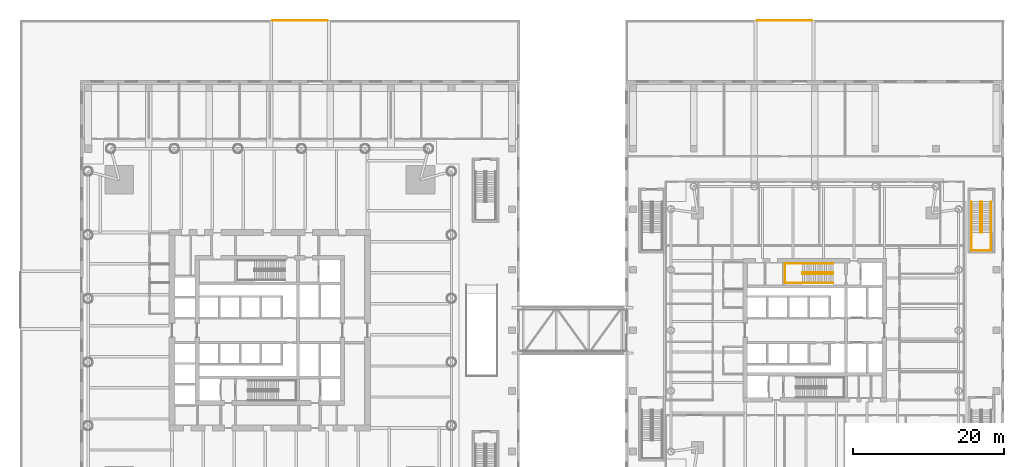
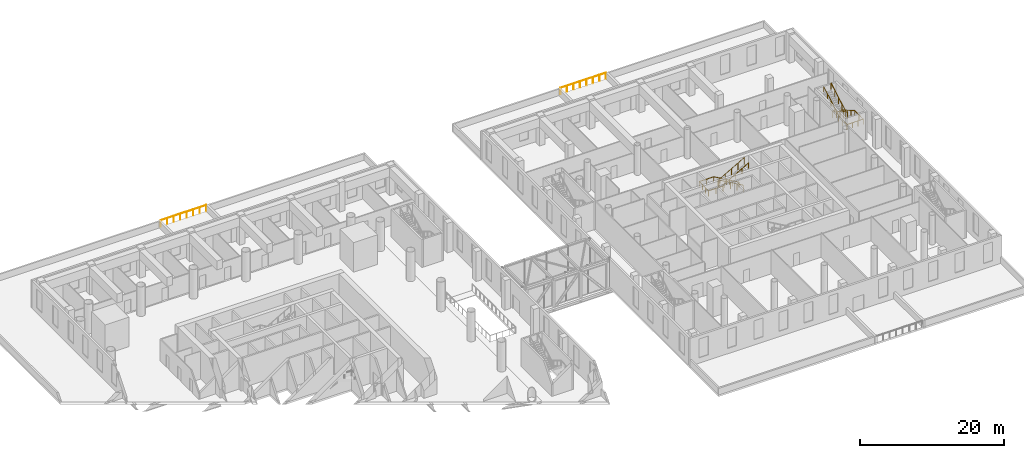
# One storey, part 23 of 23: 6 railings.
"""IFC4 building model written with IfcOpenShell, lengths in metres."""

from ifc_helpers import new_model, si_unit, direction, frame, origin, origin_2d, place, context, subcontext, project, spatial, circle, extrude, material, type_object, element, save


model = new_model("IFC4")

# Units and contexts
model_context = context("Model", 3, precision=1e-05, world=origin(), true_north=direction((0.0, 1.0)))
body_context = subcontext(model_context, "Body", "Model", "MODEL_VIEW")
ifc_project = project(units=[si_unit("LENGTHUNIT", "METRE"), si_unit("AREAUNIT", "SQUARE_METRE"), si_unit("VOLUMEUNIT", "CUBIC_METRE"), si_unit("PLANEANGLEUNIT", "RADIAN"), si_unit("MASSUNIT", "GRAM", prefix="KILO")], contexts=[model_context])

# Site, building, storey
site_placement = place(None, origin())
site = spatial("IfcSite", under=ifc_project, at=site_placement, CompositionType="ELEMENT")
building_placement = place(site_placement, origin())
building = spatial("IfcBuilding", under=site, at=building_placement, Name="Ostroluk Exchange", CompositionType="ELEMENT")
storey_placement = place(building_placement, frame((0.0, 0.0, 11.0)))
storey = spatial("IfcBuildingStorey", under=building, at=storey_placement, Name="L02", CompositionType="ELEMENT", Elevation=11.0)

# Railings
ifc_material_1 = material(Name="Stainless steel", Category="steel")
railing_type_1 = type_object("IfcRailingType", Name="Guard 1100 stainless steel", PredefinedType="GUARDRAIL", material=ifc_material_1)
for number, where, name in (
    (1, (45.35205078125, 86.949951171875, 0.0), "Terrace guard L02 1.1"),
    (2, (109.35205078125, 86.949951171875, 0.0), "Terrace guard L02 1.1"),
):
    element("IfcRailing", number, at=place(storey_placement, frame(where)), inside=storey, type_object=railing_type_1, Name=name, PredefinedType="GUARDRAIL", context=body_context, shape_type="SweptSolid", body=[
        extrude(circle(Radius=0.02392578125, at=origin_2d()), frame((0.0, 0.0, 1.076171875), z_axis=(1.0, 0.0, 0.0), x_axis=(0.0, 1.0, 0.0)), (0.0, 0.0, 1.0), 7.2958984375),
        extrude(circle(Radius=0.02099609375, at=origin_2d()), origin(), (0.0, 0.0, 1.0), 1.052001953125),
        extrude(circle(Radius=0.02099609375, at=origin_2d()), frame((1.042236328125, 0.0, 0.0)), (0.0, 0.0, 1.0), 1.052001953125),
        extrude(circle(Radius=0.02099609375, at=origin_2d()), frame((2.08447265625, 0.0, 0.0)), (0.0, 0.0, 1.0), 1.052001953125),
        extrude(circle(Radius=0.02099609375, at=origin_2d()), frame((3.126708984375, 0.0, 0.0)), (0.0, 0.0, 1.0), 1.052001953125),
        extrude(circle(Radius=0.02099609375, at=origin_2d()), frame((4.169189453125, 0.0, 0.0)), (0.0, 0.0, 1.0), 1.052001953125),
        extrude(circle(Radius=0.02099609375, at=origin_2d()), frame((5.21142578125, 0.0, 0.0)), (0.0, 0.0, 1.0), 1.052001953125),
        extrude(circle(Radius=0.02099609375, at=origin_2d()), frame((6.253662109375, 0.0, 0.0)), (0.0, 0.0, 1.0), 1.052001953125),
        extrude(circle(Radius=0.02099609375, at=origin_2d()), frame((7.2958984375, 0.0, 0.0)), (0.0, 0.0, 1.0), 1.052001953125),
    ])
ifc_material_2 = material(Name="Steel S355", Category="steel")
railing_type_2 = type_object("IfcRailingType", Name="Stair guard 1100", PredefinedType="GUARDRAIL", material=ifc_material_2)
railing_1_placement = place(storey_placement, frame((119.429931640625, 53.679931640625, 0.166748046875)))
element("IfcRailing", 3, at=railing_1_placement, inside=storey, type_object=railing_type_2, Name="Stair T2-S2 guard L02", PredefinedType="GUARDRAIL", context=body_context, shape_type="SweptSolid", body=[
    extrude(circle(Radius=0.02392578125, at=origin_2d()), frame((0.0, 0.0, 1.076171875), z_axis=(-0.86701161382, 0.0, 0.498287930319), x_axis=(0.0, -1.0, 0.0)), (0.0, 0.0, 1.0), 4.6826171875),
    extrude(circle(Radius=0.02392578125, at=origin_2d()), frame((-4.059814453125, 0.0, 3.4091796875), z_axis=(0.0, -1.0, 0.0), x_axis=(1.0, 0.0, 0.0)), (0.0, 0.0, 1.0), 0.260009765625),
    extrude(circle(Radius=0.02392578125, at=origin_2d()), frame((-4.059814453125, -0.260009765625, 3.4091796875), z_axis=(0.0, 0.0, 1.0), x_axis=(1.0, 0.0, 0.0)), (0.0, 0.0, 1.0), 0.166748046875),
    extrude(circle(Radius=0.02392578125, at=origin_2d()), frame((-4.059814453125, -0.260009765625, 3.576171875), z_axis=(0.86701161382, 0.0, 0.498287930319), x_axis=(0.0, 1.0, 0.0)), (0.0, 0.0, 1.0), 4.6826171875),
    extrude(circle(Radius=0.02099609375, at=origin_2d()), origin(), (0.0, 0.0, 1.0), 1.052001953125),
    extrude(circle(Radius=0.02099609375, at=origin_2d()), frame((-1.014892578125, 0.0, 0.583251953125)), (0.0, 0.0, 1.0), 1.052001953125),
    extrude(circle(Radius=0.02099609375, at=origin_2d()), frame((-2.02978515625, 0.0, 1.16650390625)), (0.0, 0.0, 1.0), 1.052001953125),
    extrude(circle(Radius=0.02099609375, at=origin_2d()), frame((-3.044921875, 0.0, 1.75)), (0.0, 0.0, 1.0), 1.052001953125),
    extrude(circle(Radius=0.02099609375, at=origin_2d()), frame((-4.059814453125, 0.0, 2.333251953125)), (0.0, 0.0, 1.0), 1.052001953125),
    extrude(circle(Radius=0.02099609375, at=origin_2d()), frame((-4.059814453125, -0.260009765625, 2.333251953125)), (0.0, 0.0, 1.0), 1.052001953125),
    extrude(circle(Radius=0.02099609375, at=origin_2d()), frame((-4.059814453125, -0.260009765625, 2.5)), (0.0, 0.0, 1.0), 1.052001953125),
    extrude(circle(Radius=0.02099609375, at=origin_2d()), frame((-3.044921875, -0.260009765625, 3.083251953125)), (0.0, 0.0, 1.0), 1.052001953125),
    extrude(circle(Radius=0.02099609375, at=origin_2d()), frame((-2.02978515625, -0.260009765625, 3.66650390625)), (0.0, 0.0, 1.0), 1.052001953125),
    extrude(circle(Radius=0.02099609375, at=origin_2d()), frame((-1.014892578125, -0.260009765625, 4.25)), (0.0, 0.0, 1.0), 1.052001953125),
    extrude(circle(Radius=0.02099609375, at=origin_2d()), frame((0.0, -0.260009765625, 4.833251953125)), (0.0, 0.0, 1.0), 1.052001953125),
])
railing_2_placement = place(storey_placement, frame((139.1298828125, 63.0, 0.166748046875)))
element("IfcRailing", 4, at=railing_2_placement, inside=storey, type_object=railing_type_2, Name="Stair PS8 guard L02", PredefinedType="GUARDRAIL", context=body_context, shape_type="SweptSolid", body=[
    extrude(circle(Radius=0.02392578125, at=origin_2d()), frame((0.0, 0.0, 1.076171875), z_axis=(0.0, -0.867024558463, 0.498265406207), x_axis=(1.0, 0.0, 0.0)), (0.0, 0.0, 1.0), 4.682861328125),
    extrude(circle(Radius=0.02392578125, at=origin_2d()), frame((0.0, -4.06005859375, 3.4091796875), z_axis=(-1.0, 0.0, 0.0), x_axis=(0.0, -1.0, 0.0)), (0.0, 0.0, 1.0), 0.259765625),
    extrude(circle(Radius=0.02392578125, at=origin_2d()), frame((-0.259765625, -4.06005859375, 3.4091796875), z_axis=(0.0, 0.0, 1.0), x_axis=(1.0, 0.0, 0.0)), (0.0, 0.0, 1.0), 0.166748046875),
    extrude(circle(Radius=0.02392578125, at=origin_2d()), frame((-0.259765625, -4.06005859375, 3.576171875), z_axis=(0.0, 0.867024558463, 0.498265406207), x_axis=(-1.0, 0.0, 0.0)), (0.0, 0.0, 1.0), 4.682861328125),
    extrude(circle(Radius=0.02099609375, at=origin_2d()), origin(), (0.0, 0.0, 1.0), 1.052001953125),
    extrude(circle(Radius=0.02099609375, at=origin_2d()), frame((0.0, -1.01513671875, 0.583251953125)), (0.0, 0.0, 1.0), 1.052001953125),
    extrude(circle(Radius=0.02099609375, at=origin_2d()), frame((0.0, -2.030029296875, 1.16650390625)), (0.0, 0.0, 1.0), 1.052001953125),
    extrude(circle(Radius=0.02099609375, at=origin_2d()), frame((0.0, -3.044921875, 1.75)), (0.0, 0.0, 1.0), 1.052001953125),
    extrude(circle(Radius=0.02099609375, at=origin_2d()), frame((0.0, -4.06005859375, 2.333251953125)), (0.0, 0.0, 1.0), 1.052001953125),
    extrude(circle(Radius=0.02099609375, at=origin_2d()), frame((-0.259765625, -4.06005859375, 2.333251953125)), (0.0, 0.0, 1.0), 1.052001953125),
    extrude(circle(Radius=0.02099609375, at=origin_2d()), frame((-0.259765625, -4.06005859375, 2.5)), (0.0, 0.0, 1.0), 1.052001953125),
    extrude(circle(Radius=0.02099609375, at=origin_2d()), frame((-0.259765625, -3.044921875, 3.083251953125)), (0.0, 0.0, 1.0), 1.052001953125),
    extrude(circle(Radius=0.02099609375, at=origin_2d()), frame((-0.259765625, -2.030029296875, 3.66650390625)), (0.0, 0.0, 1.0), 1.052001953125),
    extrude(circle(Radius=0.02099609375, at=origin_2d()), frame((-0.259765625, -1.01513671875, 4.25)), (0.0, 0.0, 1.0), 1.052001953125),
    extrude(circle(Radius=0.02099609375, at=origin_2d()), frame((-0.259765625, 0.0, 4.833251953125)), (0.0, 0.0, 1.0), 1.052001953125),
])
ifc_material_3 = material(Name="Stainless steel", Category="steel")
railing_type_3 = type_object("IfcRailingType", Name="Stair handrail 900", PredefinedType="HANDRAIL", material=ifc_material_3)
railing_3_placement = place(storey_placement, frame((119.429931640625, 54.85009765625, 0.166748046875)))
element("IfcRailing", 5, at=railing_3_placement, inside=storey, type_object=railing_type_3, Name="Stair T2-S2 handrail L02", PredefinedType="HANDRAIL", context=body_context, shape_type="SweptSolid", body=[
    extrude(circle(Radius=0.02392578125, at=origin_2d()), frame((0.0, 0.0, 0.8759765625), z_axis=(-0.86701161382, 0.0, 0.498287930319), x_axis=(0.0, -1.0, 0.0)), (0.0, 0.0, 1.0), 4.6826171875),
    extrude(circle(Radius=0.02392578125, at=origin_2d()), frame((-4.059814453125, 0.0, 3.208984375), z_axis=(-1.0, 0.0, 0.0), x_axis=(0.0, -1.0, 0.0)), (0.0, 0.0, 1.0), 2.320068359375),
    extrude(circle(Radius=0.02392578125, at=origin_2d()), frame((-6.3798828125, 0.0, 3.208984375), z_axis=(0.0, -1.0, 0.0), x_axis=(1.0, 0.0, 0.0)), (0.0, 0.0, 1.0), 2.60009765625),
    extrude(circle(Radius=0.02392578125, at=origin_2d()), frame((-6.3798828125, -2.60009765625, 3.208984375), z_axis=(1.0, 0.0, 0.0), x_axis=(0.0, 1.0, 0.0)), (0.0, 0.0, 1.0), 2.320068359375),
    extrude(circle(Radius=0.02392578125, at=origin_2d()), frame((-4.059814453125, -2.60009765625, 3.208984375), z_axis=(0.0, 0.0, 1.0), x_axis=(1.0, 0.0, 0.0)), (0.0, 0.0, 1.0), 0.166748046875),
    extrude(circle(Radius=0.02392578125, at=origin_2d()), frame((-4.059814453125, -2.60009765625, 3.3759765625), z_axis=(0.86701161382, 0.0, 0.498287930319), x_axis=(0.0, 1.0, 0.0)), (0.0, 0.0, 1.0), 4.6826171875),
    extrude(circle(Radius=0.02099609375, at=origin_2d()), origin(), (0.0, 0.0, 1.0), 0.851806640625),
    extrude(circle(Radius=0.02099609375, at=origin_2d()), frame((-1.014892578125, 0.0, 0.583251953125)), (0.0, 0.0, 1.0), 0.851806640625),
    extrude(circle(Radius=0.02099609375, at=origin_2d()), frame((-2.02978515625, 0.0, 1.16650390625)), (0.0, 0.0, 1.0), 0.851806640625),
    extrude(circle(Radius=0.02099609375, at=origin_2d()), frame((-3.044921875, 0.0, 1.75)), (0.0, 0.0, 1.0), 0.851806640625),
    extrude(circle(Radius=0.02099609375, at=origin_2d()), frame((-4.059814453125, 0.0, 2.333251953125)), (0.0, 0.0, 1.0), 0.851806640625),
    extrude(circle(Radius=0.02099609375, at=origin_2d()), frame((-5.2197265625, 0.0, 2.333251953125)), (0.0, 0.0, 1.0), 0.851806640625),
    extrude(circle(Radius=0.02099609375, at=origin_2d()), frame((-6.3798828125, 0.0, 2.333251953125)), (0.0, 0.0, 1.0), 0.851806640625),
    extrude(circle(Radius=0.02099609375, at=origin_2d()), frame((-6.3798828125, -0.86669921875, 2.333251953125)), (0.0, 0.0, 1.0), 0.851806640625),
    extrude(circle(Radius=0.02099609375, at=origin_2d()), frame((-6.3798828125, -1.7333984375, 2.333251953125)), (0.0, 0.0, 1.0), 0.851806640625),
    extrude(circle(Radius=0.02099609375, at=origin_2d()), frame((-6.3798828125, -2.60009765625, 2.333251953125)), (0.0, 0.0, 1.0), 0.851806640625),
    extrude(circle(Radius=0.02099609375, at=origin_2d()), frame((-5.2197265625, -2.60009765625, 2.333251953125)), (0.0, 0.0, 1.0), 0.851806640625),
    extrude(circle(Radius=0.02099609375, at=origin_2d()), frame((-4.059814453125, -2.60009765625, 2.333251953125)), (0.0, 0.0, 1.0), 0.851806640625),
    extrude(circle(Radius=0.02099609375, at=origin_2d()), frame((-4.059814453125, -2.60009765625, 2.5)), (0.0, 0.0, 1.0), 0.851806640625),
    extrude(circle(Radius=0.02099609375, at=origin_2d()), frame((-3.044921875, -2.60009765625, 3.083251953125)), (0.0, 0.0, 1.0), 0.851806640625),
    extrude(circle(Radius=0.02099609375, at=origin_2d()), frame((-2.02978515625, -2.60009765625, 3.66650390625)), (0.0, 0.0, 1.0), 0.851806640625),
    extrude(circle(Radius=0.02099609375, at=origin_2d()), frame((-1.014892578125, -2.60009765625, 4.25)), (0.0, 0.0, 1.0), 0.851806640625),
    extrude(circle(Radius=0.02099609375, at=origin_2d()), frame((0.0, -2.60009765625, 4.833251953125)), (0.0, 0.0, 1.0), 0.851806640625),
])
railing_4_placement = place(storey_placement, frame((140.300048828125, 63.0, 0.166748046875)))
element("IfcRailing", 6, at=railing_4_placement, inside=storey, type_object=railing_type_3, Name="Stair PS8 handrail L02", PredefinedType="HANDRAIL", context=body_context, shape_type="SweptSolid", body=[
    extrude(circle(Radius=0.02392578125, at=origin_2d()), frame((0.0, 0.0, 0.8759765625), z_axis=(0.0, -0.867024558463, 0.498265406207), x_axis=(1.0, 0.0, 0.0)), (0.0, 0.0, 1.0), 4.682861328125),
    extrude(circle(Radius=0.02392578125, at=origin_2d()), frame((0.0, -4.06005859375, 3.208984375), z_axis=(0.0, -1.0, 0.0), x_axis=(1.0, 0.0, 0.0)), (0.0, 0.0, 1.0), 2.389892578125),
    extrude(circle(Radius=0.02392578125, at=origin_2d()), frame((0.0, -6.449951171875, 3.208984375), z_axis=(-1.0, 0.0, 0.0), x_axis=(0.0, -1.0, 0.0)), (0.0, 0.0, 1.0), 2.60009765625),
    extrude(circle(Radius=0.02392578125, at=origin_2d()), frame((-2.60009765625, -6.449951171875, 3.208984375), z_axis=(0.0, 1.0, 0.0), x_axis=(-1.0, 0.0, 0.0)), (0.0, 0.0, 1.0), 2.389892578125),
    extrude(circle(Radius=0.02392578125, at=origin_2d()), frame((-2.60009765625, -4.06005859375, 3.208984375), z_axis=(0.0, 0.0, 1.0), x_axis=(1.0, 0.0, 0.0)), (0.0, 0.0, 1.0), 0.166748046875),
    extrude(circle(Radius=0.02392578125, at=origin_2d()), frame((-2.60009765625, -4.06005859375, 3.3759765625), z_axis=(0.0, 0.867024558463, 0.498265406207), x_axis=(-1.0, 0.0, 0.0)), (0.0, 0.0, 1.0), 4.682861328125),
    extrude(circle(Radius=0.02099609375, at=origin_2d()), origin(), (0.0, 0.0, 1.0), 0.851806640625),
    extrude(circle(Radius=0.02099609375, at=origin_2d()), frame((0.0, -1.01513671875, 0.583251953125)), (0.0, 0.0, 1.0), 0.851806640625),
    extrude(circle(Radius=0.02099609375, at=origin_2d()), frame((0.0, -2.030029296875, 1.16650390625)), (0.0, 0.0, 1.0), 0.851806640625),
    extrude(circle(Radius=0.02099609375, at=origin_2d()), frame((0.0, -3.044921875, 1.75)), (0.0, 0.0, 1.0), 0.851806640625),
    extrude(circle(Radius=0.02099609375, at=origin_2d()), frame((0.0, -4.06005859375, 2.333251953125)), (0.0, 0.0, 1.0), 0.851806640625),
    extrude(circle(Radius=0.02099609375, at=origin_2d()), frame((0.0, -5.2548828125, 2.333251953125)), (0.0, 0.0, 1.0), 0.851806640625),
    extrude(circle(Radius=0.02099609375, at=origin_2d()), frame((0.0, -6.449951171875, 2.333251953125)), (0.0, 0.0, 1.0), 0.851806640625),
    extrude(circle(Radius=0.02099609375, at=origin_2d()), frame((-0.86669921875, -6.449951171875, 2.333251953125)), (0.0, 0.0, 1.0), 0.851806640625),
    extrude(circle(Radius=0.02099609375, at=origin_2d()), frame((-1.7333984375, -6.449951171875, 2.333251953125)), (0.0, 0.0, 1.0), 0.851806640625),
    extrude(circle(Radius=0.02099609375, at=origin_2d()), frame((-2.60009765625, -6.449951171875, 2.333251953125)), (0.0, 0.0, 1.0), 0.851806640625),
    extrude(circle(Radius=0.02099609375, at=origin_2d()), frame((-2.60009765625, -5.2548828125, 2.333251953125)), (0.0, 0.0, 1.0), 0.851806640625),
    extrude(circle(Radius=0.02099609375, at=origin_2d()), frame((-2.60009765625, -4.06005859375, 2.333251953125)), (0.0, 0.0, 1.0), 0.851806640625),
    extrude(circle(Radius=0.02099609375, at=origin_2d()), frame((-2.60009765625, -4.06005859375, 2.5)), (0.0, 0.0, 1.0), 0.851806640625),
    extrude(circle(Radius=0.02099609375, at=origin_2d()), frame((-2.60009765625, -3.044921875, 3.083251953125)), (0.0, 0.0, 1.0), 0.851806640625),
    extrude(circle(Radius=0.02099609375, at=origin_2d()), frame((-2.60009765625, -2.030029296875, 3.66650390625)), (0.0, 0.0, 1.0), 0.851806640625),
    extrude(circle(Radius=0.02099609375, at=origin_2d()), frame((-2.60009765625, -1.01513671875, 4.25)), (0.0, 0.0, 1.0), 0.851806640625),
    extrude(circle(Radius=0.02099609375, at=origin_2d()), frame((-2.60009765625, 0.0, 4.833251953125)), (0.0, 0.0, 1.0), 0.851806640625),
])

save(model, "model.ifc")
